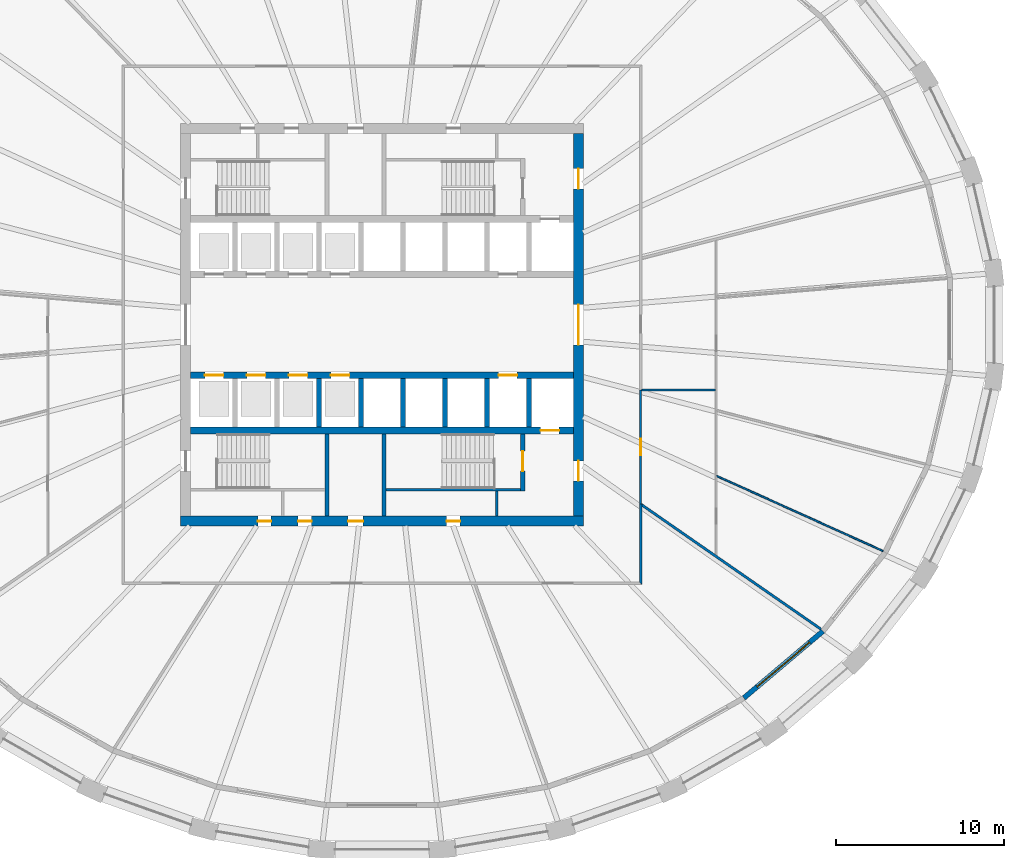
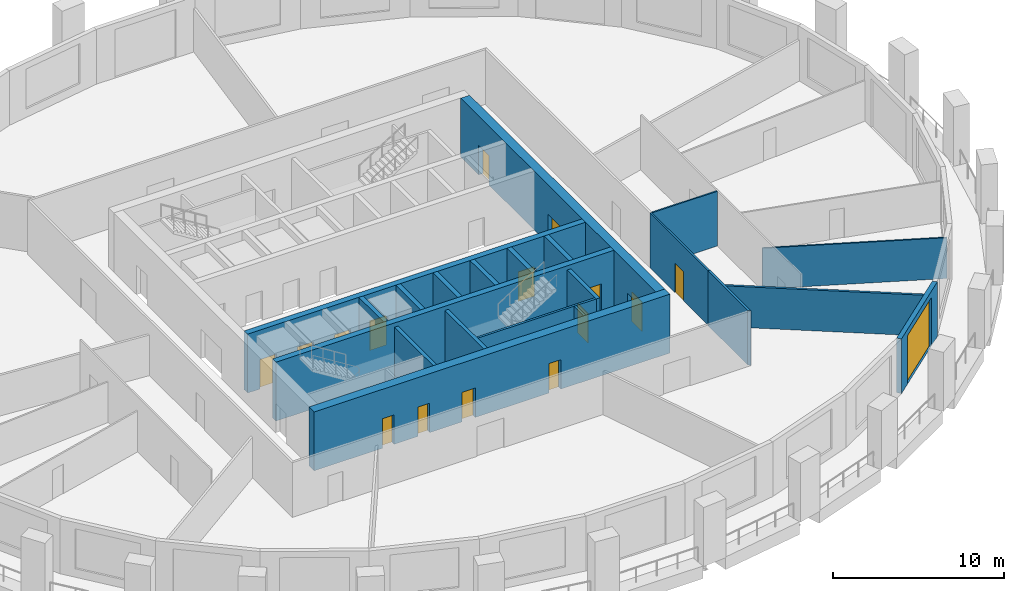
# One storey, part 4 of 11: 21 walls, 16 doors, 16 openings.
"""IFC4 building model written with IfcOpenShell, lengths in metres."""

from ifc_helpers import new_model, si_unit, direction, frame, frame_2d, origin, place, context, subcontext, project, spatial, polyline, rectangle, outline, extrude, material, layer, layer_set, type_object, element, fill, save


model = new_model("IFC4")

# Units and contexts
model_context = context("Model", 3, precision=1e-05, world=origin(), true_north=direction((0.0, 1.0)))
body_context = subcontext(model_context, "Body", "Model", "MODEL_VIEW")
ifc_project = project(units=[si_unit("LENGTHUNIT", "METRE"), si_unit("AREAUNIT", "SQUARE_METRE"), si_unit("VOLUMEUNIT", "CUBIC_METRE"), si_unit("PLANEANGLEUNIT", "RADIAN"), si_unit("MASSUNIT", "GRAM", prefix="KILO")], contexts=[model_context])

# Site, building, storey
site_placement = place(None, origin())
site = spatial("IfcSite", under=ifc_project, at=site_placement, CompositionType="ELEMENT")
building_placement = place(site_placement, origin())
building = spatial("IfcBuilding", under=site, at=building_placement, Name="Halqa Exchange Tower", CompositionType="ELEMENT")
storey_placement = place(building_placement, frame((0.0, 0.0, 78.10009765625)))
storey = spatial("IfcBuildingStorey", under=building, at=storey_placement, Name="L17", CompositionType="ELEMENT", Elevation=78.10009765625)

# Walls
ifc_material_1 = material(Name="Fire-rated gypsum board")
ifc_layer_1 = layer(ifc_material_1, 0.14990234375)
ifc_layer_set_1 = layer_set([ifc_layer_1], Name="Fire-rated gypsum board")
wall_type_1 = type_object("IfcWallType", Name="Fire partition EI 60 150", PredefinedType="PARTITIONING", material=ifc_layer_set_1)
wall_1_placement = place(storey_placement, frame((15.39990234375, -10.679931640625, 0.0), z_axis=(0.0, 0.0, 1.0), x_axis=(0.0, -1.0, 0.0)))
element("IfcWall", 1, at=wall_1_placement, inside=storey, type_object=wall_type_1, Name="L17-PWL-013", PredefinedType="PARTITIONING", context=body_context, shape_type="SweptSolid", body=[
    extrude(outline(polyline([(0.0, -0.074951171875), (1.54833984375, -0.074951171875), (3.0966796875, -0.074951171875), (4.64501953125, -0.074951171875), (4.794921875, 0.074951171875), (3.196533203125, 0.074951171875), (1.598388671875, 0.074951171875), (0.0, 0.074951171875), (0.0, -0.074951171875)])), origin(), (0.0, 0.0, 1.0), 3.89990234375),
])
wall_2_placement = place(storey_placement, frame((15.417724609375, -10.6923828125, 0.0), z_axis=(0.0, 0.0, 1.0), x_axis=(0.821683258501, -0.569944403166, 0.0)))
element("IfcWall", 2, at=wall_2_placement, inside=storey, type_object=wall_type_1, Name="L17-PWL-014", PredefinedType="PARTITIONING", context=body_context, shape_type="SweptSolid", body=[
    extrude(outline(polyline([(13.046875, 0.074951171875), (11.12158203125, 0.074951171875), (9.1962890625, 0.074951171875), (7.27099609375, 0.074951171875), (5.345703125, 0.074951171875), (5.34326171875, 0.0732421875), (5.342041015625, 0.074951171875), (3.5615234375, 0.074951171875), (1.78076171875, 0.074951171875), (0.0, 0.074951171875), (0.0, 0.07421875), (0.027587890625, 0.0341796875), (0.0400390625, 0.042724609375), (0.12158203125, -0.074951171875), (1.96826171875, -0.074951171875), (3.814697265625, -0.074951171875), (5.6611328125, -0.074951171875), (7.507568359375, -0.074951171875), (9.35400390625, -0.074951171875), (11.200439453125, -0.074951171875), (13.046875, -0.074951171875), (13.046875, 0.074951171875)])), origin(), (0.0, 0.0, 1.0), 2.909912109375),
])

# Wall, opening, door
ifc_material_2 = material(Name="Fire-rated glazing", Category="glass")
ifc_layer_2 = layer(ifc_material_2, 0.1201171875)
ifc_layer_set_2 = layer_set([ifc_layer_2], Name="Fire-rated glazing")
wall_type_2 = type_object("IfcWallType", Name="Glazed fire partition EI 60 120", PredefinedType="PARTITIONING", material=ifc_layer_set_2)
wall_3_placement = place(storey_placement, frame((15.39990234375, -3.889892578125, 0.0), z_axis=(0.0, 0.0, 1.0), x_axis=(0.0, -1.0, 0.0)))
wall_3 = element("IfcWall", 3, at=wall_3_placement, inside=storey, type_object=wall_type_2, Name="L17-PWL-015", PredefinedType="PARTITIONING", context=body_context, shape_type="SweptSolid", body=[
    extrude(rectangle(XDim=6.7900390625, YDim=0.1201171875, at=frame_2d((3.39501953125, 0.0))), origin(), (0.0, 0.0, 1.0), 3.89990234375),
])
opening_1_placement = place(wall_3_placement, frame((2.89501953125, 0.0, 0.0)))
opening_1 = element("IfcOpeningElement", 4, at=opening_1_placement, cuts=wall_3, Name="Opening 05-05", PredefinedType="OPENING", context=body_context, shape_type="SweptSolid", body=[
    extrude(rectangle(XDim=1.0, YDim=2.10009765625, at=frame_2d((0.5, 1.050048828125))), frame((0.0, 0.072021484375, 0.0), z_axis=(0.0, -1.0, 0.0), x_axis=(1.0, 0.0, 0.0)), (0.0, 0.0, 1.0), 0.14404296875),
])
ifc_material_3 = material(Name="Steel fire door leaf", Category="steel")
door_type_1 = type_object("IfcDoorType", Name="Fire door FD30S 1000 x 2100", OperationType="SINGLE_SWING_LEFT", PredefinedType="DOOR", material=ifc_material_3)
door_1_placement = place(opening_1_placement, origin())
door_1 = element("IfcDoor", 5, at=door_1_placement, inside=storey, type_object=door_type_1, Name="L17-IDR-005", OperationType="SINGLE_SWING_LEFT", OverallHeight=2.10009765625, OverallWidth=1.0, PredefinedType="DOOR", context=body_context, shape_type="SweptSolid", body=[
    extrude(rectangle(XDim=1.0, YDim=2.10009765625, at=frame_2d((0.5, 1.050048828125))), frame((0.0, 0.02490234375, 0.0), z_axis=(0.0, -1.0, 0.0), x_axis=(1.0, 0.0, 0.0)), (0.0, 0.0, 1.0), 0.050048828125),
])
fill(opening_1, door_1)

# Walls
ifc_material_4 = material(Name="Gypsum board")
ifc_layer_3 = layer(ifc_material_4, 0.10009765625)
ifc_layer_set_3 = layer_set([ifc_layer_3], Name="Gypsum board")
wall_type_3 = type_object("IfcWallType", Name="Partition 100 gypsum", PredefinedType="PARTITIONING", material=ifc_layer_set_3)
wall_4_placement = place(storey_placement, frame((15.46044921875, -3.889892578125, 0.0), z_axis=(0.0, 0.0, 1.0), x_axis=(1.0, 0.0, 0.0)))
element("IfcWall", 6, at=wall_4_placement, inside=storey, type_object=wall_type_3, Name="L17-PWL-017", PredefinedType="PARTITIONING", context=body_context, shape_type="SweptSolid", body=[
    extrude(outline(polyline([(0.0, -0.050048828125), (1.463134765625, -0.050048828125), (2.92626953125, -0.050048828125), (4.3896484375, -0.050048828125), (4.3896484375, 0.050048828125), (2.93115234375, 0.050048828125), (1.472900390625, 0.050048828125), (0.0146484375, 0.050048828125), (0.0146484375, 0.0), (0.0, 0.0), (0.0, -0.050048828125)])), origin(), (0.0, 0.0, 1.0), 3.89990234375),
])
wall_5_placement = place(storey_placement, frame((19.9296875, -9.00341796875, 0.0), z_axis=(0.0, 0.0, 1.0), x_axis=(0.911407001064, -0.41150610981, 0.0)))
element("IfcWall", 7, at=wall_5_placement, inside=storey, type_object=wall_type_3, Name="L17-PWL-020", PredefinedType="PARTITIONING", context=body_context, shape_type="SweptSolid", body=[
    extrude(outline(polyline([(0.044921875, -0.050048828125), (1.847412109375, -0.050048828125), (3.650146484375, -0.050048828125), (5.45263671875, -0.050048828125), (7.25537109375, -0.050048828125), (9.057861328125, -0.050048828125), (10.860595703125, -0.050048828125), (10.8720703125, -0.004150390625), (10.873779296875, 0.050048828125), (9.0615234375, 0.050048828125), (7.249267578125, 0.050048828125), (5.436767578125, 0.050048828125), (3.62451171875, 0.050048828125), (1.812255859375, 0.050048828125), (0.0, 0.050048828125), (0.0, 0.04931640625), (0.044921875, -0.050048828125)])), origin(), (0.0, 0.0, 1.0), 2.909912109375),
])
ifc_layer_4 = layer(ifc_material_4, 0.14990234375)
ifc_layer_set_4 = layer_set([ifc_layer_4], Name="Gypsum board")
wall_type_4 = type_object("IfcWallType", Name="Penthouse riser wall 150 gypsum", PredefinedType="PARTITIONING", material=ifc_layer_set_4)
wall_6_placement = place(storey_placement, frame((6.824951171875, -11.39990234375, 0.0), z_axis=(0.0, 0.0, 1.0), x_axis=(0.0, 1.0, 0.0)))
element("IfcWall", 8, at=wall_6_placement, inside=storey, type_object=wall_type_4, Name="Firefighting lobby west wall S", PredefinedType="PARTITIONING", context=body_context, shape_type="SweptSolid", body=[
    extrude(rectangle(XDim=1.5, YDim=0.14990234375, at=frame_2d((0.75, 0.0))), origin(), (0.0, 0.0, 1.0), 3.89990234375),
])
ifc_material_5 = material(Name="Concrete C60/75", Category="concrete")
ifc_layer_5 = layer(ifc_material_5, 0.300048828125)
ifc_layer_set_5 = layer_set([ifc_layer_5], Name="Concrete C60/75")
wall_type_5 = type_object("IfcWallType", Name="RC core wall 300", PredefinedType="SHEAR", material=ifc_layer_set_5)
for number, where, z_axis, x_axis, name in (
    (9, (-3.75, -6.10009765625, 0.0), (0.0, 0.0, 1.0), (0.0, 1.0, 0.0), "Shaft divider S3"),
    (10, (-1.25, -6.10009765625, 0.0), (0.0, 0.0, 1.0), (0.0, 1.0, 0.0), "Shaft divider S4"),
    (11, (1.25, -6.10009765625, 0.0), (0.0, 0.0, 1.0), (0.0, 1.0, 0.0), "Shaft divider S5"),
    (12, (3.75, -6.10009765625, 0.0), (0.0, 0.0, 1.0), (0.0, 1.0, 0.0), "Shaft divider S6"),
    (13, (6.25, -6.10009765625, 0.0), (0.0, 0.0, 1.0), (0.0, 1.0, 0.0), "Shaft divider S7"),
    (14, (8.75, -6.10009765625, 0.0), (0.0, 0.0, 1.0), (0.0, 1.0, 0.0), "Shaft divider S8"),
):
    element("IfcWall", number, at=place(storey_placement, frame(where, z_axis=z_axis, x_axis=x_axis)), inside=storey, type_object=wall_type_5, Name=name, PredefinedType="SHEAR", context=body_context, shape_type="SweptSolid", body=[
        extrude(rectangle(XDim=2.900146484375, YDim=0.300048828125, at=frame_2d((1.4501953125, 0.0))), origin(), (0.0, 0.0, 1.0), 4.199951171875),
    ])

# Wall, openings, doors
ifc_material_6 = material(Name="Concrete C80/95", Category="concrete")
ifc_layer_6 = layer(ifc_material_6, 0.39990234375)
ifc_layer_set_6 = layer_set([ifc_layer_6], Name="Concrete C80/95")
wall_type_6 = type_object("IfcWallType", Name="RC core wall 400 C80/95", PredefinedType="SHEAR", material=ifc_layer_set_6)
wall_7_placement = place(storey_placement, frame((-11.39990234375, -3.0, 0.0), z_axis=(0.0, 0.0, 1.0), x_axis=(1.0, 0.0, 0.0)))
wall_7 = element("IfcWall", 15, at=wall_7_placement, inside=storey, type_object=wall_type_6, Name="Lift row front wall S", PredefinedType="SHEAR", context=body_context, shape_type="SweptSolid", body=[
    extrude(rectangle(XDim=22.7998046875, YDim=0.39990234375, at=frame_2d((11.39990234375, 0.0))), origin(), (0.0, 0.0, 1.0), 4.199951171875),
])
opening_2_placement = place(wall_7_placement, frame((0.85009765625, 0.0, 0.0)))
opening_2 = element("IfcOpeningElement", 16, at=opening_2_placement, cuts=wall_7, Name="Opening LD-LR5-T05", PredefinedType="OPENING", context=body_context, shape_type="SweptSolid", body=[
    extrude(rectangle(XDim=1.10009765625, YDim=2.10009765625, at=frame_2d((0.550048828125, 1.050048828125))), frame((0.0, 0.2119140625, 0.0), z_axis=(0.0, -1.0, 0.0), x_axis=(1.0, 0.0, 0.0)), (0.0, 0.0, 1.0), 0.423828125),
])
opening_3_placement = place(wall_7_placement, frame((3.35009765625, 0.0, 0.0)))
opening_3 = element("IfcOpeningElement", 17, at=opening_3_placement, cuts=wall_7, Name="Opening LD-LR6-T05", PredefinedType="OPENING", context=body_context, shape_type="SweptSolid", body=[
    extrude(rectangle(XDim=1.10009765625, YDim=2.10009765625, at=frame_2d((0.550048828125, 1.050048828125))), frame((0.0, 0.2119140625, 0.0), z_axis=(0.0, -1.0, 0.0), x_axis=(1.0, 0.0, 0.0)), (0.0, 0.0, 1.0), 0.423828125),
])
opening_4_placement = place(wall_7_placement, frame((5.85009765625, 0.0, 0.0)))
opening_4 = element("IfcOpeningElement", 18, at=opening_4_placement, cuts=wall_7, Name="Opening LD-LR7-T05", PredefinedType="OPENING", context=body_context, shape_type="SweptSolid", body=[
    extrude(rectangle(XDim=1.10009765625, YDim=2.10009765625, at=frame_2d((0.550048828125, 1.050048828125))), frame((0.0, 0.2119140625, 0.0), z_axis=(0.0, -1.0, 0.0), x_axis=(1.0, 0.0, 0.0)), (0.0, 0.0, 1.0), 0.423828125),
])
opening_5_placement = place(wall_7_placement, frame((8.35009765625, 0.0, 0.0)))
opening_5 = element("IfcOpeningElement", 19, at=opening_5_placement, cuts=wall_7, Name="Opening LD-LR8-T05", PredefinedType="OPENING", context=body_context, shape_type="SweptSolid", body=[
    extrude(rectangle(XDim=1.10009765625, YDim=2.10009765625, at=frame_2d((0.550048828125, 1.050048828125))), frame((0.0, 0.2119140625, 0.0), z_axis=(0.0, -1.0, 0.0), x_axis=(1.0, 0.0, 0.0)), (0.0, 0.0, 1.0), 0.423828125),
])
opening_6_placement = place(wall_7_placement, frame((18.35009765625, 0.0, 0.0)))
opening_6 = element("IfcOpeningElement", 20, at=opening_6_placement, cuts=wall_7, Name="Opening LD-SV2-T05", PredefinedType="OPENING", context=body_context, shape_type="SweptSolid", body=[
    extrude(rectangle(XDim=1.10009765625, YDim=2.10009765625, at=frame_2d((0.550048828125, 1.050048828125))), frame((0.0, 0.2119140625, 0.0), z_axis=(0.0, -1.0, 0.0), x_axis=(1.0, 0.0, 0.0)), (0.0, 0.0, 1.0), 0.423828125),
])
ifc_material_7 = material(Name="Stainless steel", Category="steel")
door_type_2 = type_object("IfcDoorType", Name="Lift landing door 1100 x 2100", OperationType="SLIDING_TO_LEFT", PredefinedType="DOOR", material=ifc_material_7)
door_2_placement = place(opening_2_placement, origin())
door_2 = element("IfcDoor", 21, at=door_2_placement, inside=storey, type_object=door_type_2, Name="Lift landing door LR5", OperationType="SLIDING_TO_LEFT", OverallHeight=2.10009765625, OverallWidth=1.10009765625, PredefinedType="DOOR", context=body_context, shape_type="SweptSolid", body=[
    extrude(rectangle(XDim=1.10009765625, YDim=2.10009765625, at=frame_2d((0.550048828125, 1.050048828125))), frame((0.0, 0.02490234375, 0.0), z_axis=(0.0, -1.0, 0.0), x_axis=(1.0, 0.0, 0.0)), (0.0, 0.0, 1.0), 0.050048828125),
])
fill(opening_2, door_2)
door_3_placement = place(opening_3_placement, origin())
door_3 = element("IfcDoor", 22, at=door_3_placement, inside=storey, type_object=door_type_2, Name="Lift landing door LR6", OperationType="SLIDING_TO_LEFT", OverallHeight=2.10009765625, OverallWidth=1.10009765625, PredefinedType="DOOR", context=body_context, shape_type="SweptSolid", body=[
    extrude(rectangle(XDim=1.10009765625, YDim=2.10009765625, at=frame_2d((0.550048828125, 1.050048828125))), frame((0.0, 0.02490234375, 0.0), z_axis=(0.0, -1.0, 0.0), x_axis=(1.0, 0.0, 0.0)), (0.0, 0.0, 1.0), 0.050048828125),
])
fill(opening_3, door_3)
door_4_placement = place(opening_4_placement, origin())
door_4 = element("IfcDoor", 23, at=door_4_placement, inside=storey, type_object=door_type_2, Name="Lift landing door LR7", OperationType="SLIDING_TO_LEFT", OverallHeight=2.10009765625, OverallWidth=1.10009765625, PredefinedType="DOOR", context=body_context, shape_type="SweptSolid", body=[
    extrude(rectangle(XDim=1.10009765625, YDim=2.10009765625, at=frame_2d((0.550048828125, 1.050048828125))), frame((0.0, 0.02490234375, 0.0), z_axis=(0.0, -1.0, 0.0), x_axis=(1.0, 0.0, 0.0)), (0.0, 0.0, 1.0), 0.050048828125),
])
fill(opening_4, door_4)
door_5_placement = place(opening_5_placement, origin())
door_5 = element("IfcDoor", 24, at=door_5_placement, inside=storey, type_object=door_type_2, Name="Lift landing door LR8", OperationType="SLIDING_TO_LEFT", OverallHeight=2.10009765625, OverallWidth=1.10009765625, PredefinedType="DOOR", context=body_context, shape_type="SweptSolid", body=[
    extrude(rectangle(XDim=1.10009765625, YDim=2.10009765625, at=frame_2d((0.550048828125, 1.050048828125))), frame((0.0, 0.02490234375, 0.0), z_axis=(0.0, -1.0, 0.0), x_axis=(1.0, 0.0, 0.0)), (0.0, 0.0, 1.0), 0.050048828125),
])
fill(opening_5, door_5)
door_6_placement = place(opening_6_placement, origin())
door_6 = element("IfcDoor", 25, at=door_6_placement, inside=storey, type_object=door_type_2, Name="Lift landing door SV2", OperationType="SLIDING_TO_LEFT", OverallHeight=2.10009765625, OverallWidth=1.10009765625, PredefinedType="DOOR", context=body_context, shape_type="SweptSolid", body=[
    extrude(rectangle(XDim=1.10009765625, YDim=2.10009765625, at=frame_2d((0.550048828125, 1.050048828125))), frame((0.0, 0.02490234375, 0.0), z_axis=(0.0, -1.0, 0.0), x_axis=(1.0, 0.0, 0.0)), (0.0, 0.0, 1.0), 0.050048828125),
])
fill(opening_6, door_6)

# Wall, opening, door
wall_8_placement = place(storey_placement, frame((-11.39990234375, -6.300048828125, 0.0), z_axis=(0.0, 0.0, 1.0), x_axis=(1.0, 0.0, 0.0)))
wall_8 = element("IfcWall", 26, at=wall_8_placement, inside=storey, type_object=wall_type_6, Name="Lift row back wall S", PredefinedType="SHEAR", context=body_context, shape_type="SweptSolid", body=[
    extrude(rectangle(XDim=22.7998046875, YDim=0.39990234375, at=frame_2d((11.39990234375, 0.0))), origin(), (0.0, 0.0, 1.0), 4.199951171875),
])
opening_7_placement = place(wall_8_placement, frame((20.85009765625, 0.0, 0.0)))
opening_7 = element("IfcOpeningElement", 27, at=opening_7_placement, cuts=wall_8, Name="Opening LD-FF2-T05", PredefinedType="OPENING", context=body_context, shape_type="SweptSolid", body=[
    extrude(rectangle(XDim=1.10009765625, YDim=2.10009765625, at=frame_2d((0.550048828125, 1.050048828125))), frame((0.0, 0.2119140625, 0.0), z_axis=(0.0, -1.0, 0.0), x_axis=(1.0, 0.0, 0.0)), (0.0, 0.0, 1.0), 0.423828125),
])
door_7_placement = place(opening_7_placement, origin())
door_7 = element("IfcDoor", 28, at=door_7_placement, inside=storey, type_object=door_type_2, Name="Lift landing door FF2", OperationType="SLIDING_TO_LEFT", OverallHeight=2.10009765625, OverallWidth=1.10009765625, PredefinedType="DOOR", context=body_context, shape_type="SweptSolid", body=[
    extrude(rectangle(XDim=1.10009765625, YDim=2.10009765625, at=frame_2d((0.550048828125, 1.050048828125))), frame((0.0, 0.02490234375, 0.0), z_axis=(0.0, -1.0, 0.0), x_axis=(1.0, 0.0, 0.0)), (0.0, 0.0, 1.0), 0.050048828125),
])
fill(opening_7, door_7)

# Wall, openings, doors
ifc_layer_7 = layer(ifc_material_6, 0.60009765625)
ifc_layer_set_7 = layer_set([ifc_layer_7], Name="Concrete C80/95")
wall_type_7 = type_object("IfcWallType", Name="RC core wall 600 C80/95", PredefinedType="SHEAR", material=ifc_layer_set_7)
wall_9_placement = place(storey_placement, frame((-12.0, -11.699951171875, 0.0), z_axis=(0.0, 0.0, 1.0), x_axis=(1.0, 0.0, 0.0)))
wall_9 = element("IfcWall", 29, at=wall_9_placement, inside=storey, type_object=wall_type_7, Name="Core wall south", PredefinedType="SHEAR", context=body_context, shape_type="SweptSolid", body=[
    extrude(rectangle(XDim=24.0, YDim=0.60009765625, at=frame_2d((12.0, 0.0))), origin(), (0.0, 0.0, 1.0), 4.199951171875),
])
opening_8_placement = place(wall_9_placement, frame((9.97509765625, 0.0, 0.0)))
opening_8 = element("IfcOpeningElement", 30, at=opening_8_placement, cuts=wall_9, Name="Opening T05-C25", PredefinedType="OPENING", context=body_context, shape_type="SweptSolid", body=[
    extrude(rectangle(XDim=0.89990234375, YDim=2.10009765625, at=frame_2d((0.449951171875, 1.050048828125))), frame((0.0, 0.31201171875, 0.0), z_axis=(0.0, -1.0, 0.0), x_axis=(1.0, 0.0, 0.0)), (0.0, 0.0, 1.0), 0.6240234375),
])
opening_9_placement = place(wall_9_placement, frame((4.60009765625, 0.0, 0.0)))
opening_9 = element("IfcOpeningElement", 31, at=opening_9_placement, cuts=wall_9, Name="Opening T05-C26", PredefinedType="OPENING", context=body_context, shape_type="SweptSolid", body=[
    extrude(rectangle(XDim=0.800048828125, YDim=2.10009765625, at=frame_2d((0.39990234375, 1.050048828125))), frame((0.0, 0.31201171875, 0.0), z_axis=(0.0, -1.0, 0.0), x_axis=(1.0, 0.0, 0.0)), (0.0, 0.0, 1.0), 0.6240234375),
])
opening_10_placement = place(wall_9_placement, frame((7.0, 0.0, 0.0)))
opening_10 = element("IfcOpeningElement", 32, at=opening_10_placement, cuts=wall_9, Name="Opening T05-C27", PredefinedType="OPENING", context=body_context, shape_type="SweptSolid", body=[
    extrude(rectangle(XDim=0.800048828125, YDim=2.10009765625, at=frame_2d((0.39990234375, 1.050048828125))), frame((0.0, 0.31201171875, 0.0), z_axis=(0.0, -1.0, 0.0), x_axis=(1.0, 0.0, 0.0)), (0.0, 0.0, 1.0), 0.6240234375),
])
opening_11_placement = place(wall_9_placement, frame((15.85009765625, 0.0, 0.0)))
opening_11 = element("IfcOpeningElement", 33, at=opening_11_placement, cuts=wall_9, Name="Opening T05-C28", PredefinedType="OPENING", context=body_context, shape_type="SweptSolid", body=[
    extrude(rectangle(XDim=0.800048828125, YDim=2.10009765625, at=frame_2d((0.39990234375, 1.050048828125))), frame((0.0, 0.31201171875, 0.0), z_axis=(0.0, -1.0, 0.0), x_axis=(1.0, 0.0, 0.0)), (0.0, 0.0, 1.0), 0.6240234375),
])
ifc_material_8 = material(Name="Timber fire door leaf", Category="wood")
door_type_3 = type_object("IfcDoorType", Name="Core room door FD30 900 x 2100", OperationType="SINGLE_SWING_LEFT", PredefinedType="DOOR", material=ifc_material_8)
door_8_placement = place(opening_8_placement, origin())
door_8 = element("IfcDoor", 34, at=door_8_placement, inside=storey, type_object=door_type_3, Name="Core room door", OperationType="SINGLE_SWING_LEFT", OverallHeight=2.10009765625, OverallWidth=0.89990234375, PredefinedType="DOOR", context=body_context, shape_type="SweptSolid", body=[
    extrude(rectangle(XDim=0.89990234375, YDim=2.10009765625, at=frame_2d((0.449951171875, 1.050048828125))), frame((0.0, 0.02490234375, 0.0), z_axis=(0.0, -1.0, 0.0), x_axis=(1.0, 0.0, 0.0)), (0.0, 0.0, 1.0), 0.050048828125),
])
fill(opening_8, door_8)
door_type_4 = type_object("IfcDoorType", Name="Riser door FD60 800 x 2100", OperationType="SINGLE_SWING_LEFT", PredefinedType="DOOR", material=ifc_material_3)
door_9_placement = place(opening_9_placement, origin())
door_9 = element("IfcDoor", 35, at=door_9_placement, inside=storey, type_object=door_type_4, Name="Core room door", OperationType="SINGLE_SWING_LEFT", OverallHeight=2.10009765625, OverallWidth=0.800048828125, PredefinedType="DOOR", context=body_context, shape_type="SweptSolid", body=[
    extrude(rectangle(XDim=0.800048828125, YDim=2.10009765625, at=frame_2d((0.39990234375, 1.050048828125))), frame((0.0, 0.02490234375, 0.0), z_axis=(0.0, -1.0, 0.0), x_axis=(1.0, 0.0, 0.0)), (0.0, 0.0, 1.0), 0.050048828125),
])
fill(opening_9, door_9)
door_10_placement = place(opening_10_placement, origin())
door_10 = element("IfcDoor", 36, at=door_10_placement, inside=storey, type_object=door_type_4, Name="Core room door", OperationType="SINGLE_SWING_LEFT", OverallHeight=2.10009765625, OverallWidth=0.800048828125, PredefinedType="DOOR", context=body_context, shape_type="SweptSolid", body=[
    extrude(rectangle(XDim=0.800048828125, YDim=2.10009765625, at=frame_2d((0.39990234375, 1.050048828125))), frame((0.0, 0.02490234375, 0.0), z_axis=(0.0, -1.0, 0.0), x_axis=(1.0, 0.0, 0.0)), (0.0, 0.0, 1.0), 0.050048828125),
])
fill(opening_10, door_10)
door_11_placement = place(opening_11_placement, origin())
door_11 = element("IfcDoor", 37, at=door_11_placement, inside=storey, type_object=door_type_4, Name="Core room door", OperationType="SINGLE_SWING_LEFT", OverallHeight=2.10009765625, OverallWidth=0.800048828125, PredefinedType="DOOR", context=body_context, shape_type="SweptSolid", body=[
    extrude(rectangle(XDim=0.800048828125, YDim=2.10009765625, at=frame_2d((0.39990234375, 1.050048828125))), frame((0.0, 0.02490234375, 0.0), z_axis=(0.0, -1.0, 0.0), x_axis=(1.0, 0.0, 0.0)), (0.0, 0.0, 1.0), 0.050048828125),
])
fill(opening_11, door_11)

wall_10_placement = place(storey_placement, frame((11.699951171875, -11.39990234375, 0.0), z_axis=(0.0, 0.0, 1.0), x_axis=(0.0, 1.0, 0.0)))
wall_10 = element("IfcWall", 38, at=wall_10_placement, inside=storey, type_object=wall_type_7, Name="Core wall east", PredefinedType="SHEAR", context=body_context, shape_type="SweptSolid", body=[
    extrude(rectangle(XDim=22.7998046875, YDim=0.60009765625, at=frame_2d((11.39990234375, 0.0))), origin(), (0.0, 0.0, 1.0), 4.199951171875),
])
opening_12_placement = place(wall_10_placement, frame((10.199951171875, 0.0, 0.0)))
opening_12 = element("IfcOpeningElement", 39, at=opening_12_placement, cuts=wall_10, Name="Opening T05-C14", PredefinedType="OPENING", context=body_context, shape_type="SweptSolid", body=[
    extrude(rectangle(XDim=2.39990234375, YDim=2.10009765625, at=frame_2d((1.199951171875, 1.050048828125))), frame((0.0, 0.31201171875, 0.0), z_axis=(0.0, -1.0, 0.0), x_axis=(1.0, 0.0, 0.0)), (0.0, 0.0, 1.0), 0.6240234375),
])
opening_13_placement = place(wall_10_placement, frame((19.5, 0.0, 0.0)))
opening_13 = element("IfcOpeningElement", 40, at=opening_13_placement, cuts=wall_10, Name="Opening T05-C19", PredefinedType="OPENING", context=body_context, shape_type="SweptSolid", body=[
    extrude(rectangle(XDim=1.199951171875, YDim=2.10009765625, at=frame_2d((0.60009765625, 1.050048828125))), frame((0.0, 0.31201171875, 0.0), z_axis=(0.0, -1.0, 0.0), x_axis=(1.0, 0.0, 0.0)), (0.0, 0.0, 1.0), 0.6240234375),
])
opening_14_placement = place(wall_10_placement, frame((2.10009765625, 0.0, 0.0)))
opening_14 = element("IfcOpeningElement", 41, at=opening_14_placement, cuts=wall_10, Name="Opening T05-C20", PredefinedType="OPENING", context=body_context, shape_type="SweptSolid", body=[
    extrude(rectangle(XDim=1.199951171875, YDim=2.10009765625, at=frame_2d((0.60009765625, 1.050048828125))), frame((0.0, 0.31201171875, 0.0), z_axis=(0.0, -1.0, 0.0), x_axis=(1.0, 0.0, 0.0)), (0.0, 0.0, 1.0), 0.6240234375),
])
door_type_5 = type_object("IfcDoorType", Name="Firefighting lobby door FD90 1200 x 2100", OperationType="SINGLE_SWING_RIGHT", PredefinedType="DOOR", material=ifc_material_3)
door_12_placement = place(opening_13_placement, origin())
door_12 = element("IfcDoor", 42, at=door_12_placement, inside=storey, type_object=door_type_5, Name="Firefighting lobby door", OperationType="SINGLE_SWING_RIGHT", OverallHeight=2.10009765625, OverallWidth=1.199951171875, PredefinedType="DOOR", context=body_context, shape_type="SweptSolid", body=[
    extrude(rectangle(XDim=1.199951171875, YDim=2.10009765625, at=frame_2d((0.60009765625, 1.050048828125))), frame((0.0, 0.02490234375, 0.0), z_axis=(0.0, -1.0, 0.0), x_axis=(1.0, 0.0, 0.0)), (0.0, 0.0, 1.0), 0.050048828125),
])
fill(opening_13, door_12)
door_13_placement = place(opening_14_placement, origin())
door_13 = element("IfcDoor", 43, at=door_13_placement, inside=storey, type_object=door_type_5, Name="Firefighting lobby door", OperationType="SINGLE_SWING_LEFT", OverallHeight=2.10009765625, OverallWidth=1.199951171875, PredefinedType="DOOR", context=body_context, shape_type="SweptSolid", body=[
    extrude(rectangle(XDim=1.199951171875, YDim=2.10009765625, at=frame_2d((0.60009765625, 1.050048828125))), frame((0.0, 0.02490234375, 0.0), z_axis=(0.0, -1.0, 0.0), x_axis=(1.0, 0.0, 0.0)), (0.0, 0.0, 1.0), 0.050048828125),
])
fill(opening_14, door_13)
door_type_6 = type_object("IfcDoorType", Name="Lobby double door FD60 2400 x 2100", OperationType="DOUBLE_DOOR_SINGLE_SWING", PredefinedType="DOOR", material=ifc_material_3)
door_14_placement = place(opening_12_placement, origin())
door_14 = element("IfcDoor", 44, at=door_14_placement, inside=storey, type_object=door_type_6, Name="Lift lobby double door", OperationType="DOUBLE_DOOR_SINGLE_SWING", OverallHeight=2.10009765625, OverallWidth=2.39990234375, PredefinedType="DOOR", context=body_context, shape_type="SweptSolid", body=[
    extrude(rectangle(XDim=2.39990234375, YDim=2.10009765625, at=frame_2d((1.199951171875, 1.050048828125))), frame((0.0, 0.02490234375, 0.0), z_axis=(0.0, -1.0, 0.0), x_axis=(1.0, 0.0, 0.0)), (0.0, 0.0, 1.0), 0.050048828125),
])
fill(opening_12, door_14)

# Walls
ifc_material_9 = material(Name="Concrete C30/37", Category="concrete")
ifc_layer_8 = layer(ifc_material_9, 0.14990234375)
ifc_layer_set_8 = layer_set([ifc_layer_8], Name="Concrete C30/37")
wall_type_8 = type_object("IfcWallType", Name="RC stair wall 150 C30/37", PredefinedType="SHEAR", material=ifc_layer_set_8)
wall_11_placement = place(storey_placement, frame((0.25, -9.824951171875, 0.0), z_axis=(0.0, 0.0, 1.0), x_axis=(1.0, 0.0, 0.0)))
element("IfcWall", 45, at=wall_11_placement, inside=storey, type_object=wall_type_8, Name="Stair ST2 north wall S", PredefinedType="SHEAR", context=body_context, shape_type="SweptSolid", body=[
    extrude(rectangle(XDim=8.0, YDim=0.14990234375, at=frame_2d((4.0, 0.0))), origin(), (0.0, 0.0, 1.0), 3.89990234375),
])
ifc_layer_9 = layer(ifc_material_9, 0.25)
ifc_layer_set_9 = layer_set([ifc_layer_9], Name="Concrete C30/37")
wall_type_9 = type_object("IfcWallType", Name="RC stair wall 250 C30/37", PredefinedType="SHEAR", material=ifc_layer_set_9)
for number, where, z_axis, x_axis, name in (
    (46, (-3.27490234375, -11.39990234375, 0.0), (0.0, 0.0, 1.0), (0.0, 1.0, 0.0), "Stair ST1 east wall S"),
    (47, (0.125, -11.39990234375, 0.0), (0.0, 0.0, 1.0), (0.0, 1.0, 0.0), "Stair ST2 west wall S"),
):
    element("IfcWall", number, at=place(storey_placement, frame(where, z_axis=z_axis, x_axis=x_axis)), inside=storey, type_object=wall_type_9, Name=name, PredefinedType="SHEAR", context=body_context, shape_type="SweptSolid", body=[
        extrude(rectangle(XDim=4.89990234375, YDim=0.25, at=frame_2d((2.449951171875, 0.0))), origin(), (0.0, 0.0, 1.0), 3.89990234375),
    ])

# Wall, opening, door
wall_12_placement = place(storey_placement, frame((8.375, -9.89990234375, 0.0), z_axis=(0.0, 0.0, 1.0), x_axis=(0.0, 1.0, 0.0)))
wall_12 = element("IfcWall", 48, at=wall_12_placement, inside=storey, type_object=wall_type_9, Name="Stair ST2 east wall S", PredefinedType="SHEAR", context=body_context, shape_type="SweptSolid", body=[
    extrude(rectangle(XDim=3.39990234375, YDim=0.25, at=frame_2d((1.699951171875, 0.0))), origin(), (0.0, 0.0, 1.0), 3.89990234375),
])
opening_15_placement = place(wall_12_placement, frame((1.175048828125, 0.0, 0.0)))
opening_15 = element("IfcOpeningElement", 49, at=opening_15_placement, cuts=wall_12, Name="Opening T05-C18", PredefinedType="OPENING", context=body_context, shape_type="SweptSolid", body=[
    extrude(rectangle(XDim=1.199951171875, YDim=2.10009765625, at=frame_2d((0.60009765625, 1.050048828125))), frame((0.0, 0.136962890625, 0.0), z_axis=(0.0, -1.0, 0.0), x_axis=(1.0, 0.0, 0.0)), (0.0, 0.0, 1.0), 0.27392578125),
])
door_type_7 = type_object("IfcDoorType", Name="Stair door FD90 1200 x 2100", OperationType="SINGLE_SWING_LEFT", PredefinedType="DOOR", material=ifc_material_3)
door_15_placement = place(opening_15_placement, origin())
door_15 = element("IfcDoor", 50, at=door_15_placement, inside=storey, type_object=door_type_7, Name="Stair door ST4", OperationType="SINGLE_SWING_LEFT", OverallHeight=2.10009765625, OverallWidth=1.199951171875, PredefinedType="DOOR", context=body_context, shape_type="SweptSolid", body=[
    extrude(rectangle(XDim=1.199951171875, YDim=2.10009765625, at=frame_2d((0.60009765625, 1.050048828125))), frame((0.0, 0.02490234375, 0.0), z_axis=(0.0, -1.0, 0.0), x_axis=(1.0, 0.0, 0.0)), (0.0, 0.0, 1.0), 0.050048828125),
])
fill(opening_15, door_15)

ifc_material_10 = material(Name="Limestone cladding", Category="masonry")
ifc_layer_10 = layer(ifc_material_10, 0.0400390625)
ifc_material_11 = material(Name="Ventilated cavity")
ifc_layer_11 = layer(ifc_material_11, 0.030029296875, ventilated=True)
ifc_material_12 = material(Name="Mineral wool insulation")
ifc_layer_12 = layer(ifc_material_12, 0.10009765625)
ifc_layer_13 = layer(ifc_material_9, 0.10009765625)
ifc_material_13 = material(Name="Internal plaster")
ifc_layer_14 = layer(ifc_material_13, 0.030029296875)
ifc_layer_set_10 = layer_set([ifc_layer_10, ifc_layer_11, ifc_layer_12, ifc_layer_13, ifc_layer_14], Name="Stone-faced insulated wall 300")
wall_type_10 = type_object("IfcWallType", Name="Stone-faced insulated wall 300", PredefinedType="STANDARD", material=ifc_layer_set_10)
wall_13_placement = place(storey_placement, frame((21.548583984375, -22.230712890625, 0.0), z_axis=(0.0, 0.0, 1.0), x_axis=(0.763693886759, 0.645578536916, 0.0)))
wall_13 = element("IfcWall", 51, at=wall_13_placement, inside=storey, type_object=wall_type_10, Name="Glass-line wall 28", PredefinedType="STANDARD", context=body_context, shape_type="SweptSolid", body=[
    extrude(outline(polyline([(-0.01416015625, -0.14990234375), (6.18505859375, -0.14990234375), (6.15478515625, 0.14990234375), (0.01416015625, 0.14990234375), (-0.01416015625, -0.14990234375)])), origin(), (0.0, 0.0, 1.0), 3.89990234375),
])
opening_16_placement = place(wall_13_placement, frame((1.034912109375, 0.0, 0.0)))
opening_16 = element("IfcOpeningElement", 52, at=opening_16_placement, cuts=wall_13, Name="Opening LG-F1-07", PredefinedType="OPENING", context=body_context, shape_type="SweptSolid", body=[
    extrude(rectangle(XDim=4.10009765625, YDim=3.449951171875, at=frame_2d((2.050048828125, 1.72509765625))), frame((0.0, 0.162109375, 0.0), z_axis=(0.0, -1.0, 0.0), x_axis=(1.0, 0.0, 0.0)), (0.0, 0.0, 1.0), 0.323974609375),
])
ifc_material_14 = material(Name="Clear low-emissivity glass in aluminium frame", Category="aluminium")
door_type_8 = type_object("IfcDoorType", Name="Glazed sliding loggia door 4100 x 3450", OperationType="DOUBLE_DOOR_SLIDING", PredefinedType="DOOR", material=ifc_material_14)
door_16_placement = place(opening_16_placement, origin())
door_16 = element("IfcDoor", 53, at=door_16_placement, inside=storey, type_object=door_type_8, Name="Loggia door 7", OperationType="DOUBLE_DOOR_SLIDING", OverallHeight=3.449951171875, OverallWidth=4.10009765625, PredefinedType="DOOR", context=body_context, shape_type="SweptSolid", body=[
    extrude(rectangle(XDim=4.10009765625, YDim=3.449951171875, at=frame_2d((2.050048828125, 1.72509765625))), frame((0.0, 0.02490234375, 0.0), z_axis=(0.0, -1.0, 0.0), x_axis=(1.0, 0.0, 0.0)), (0.0, 0.0, 1.0), 0.050048828125),
])
fill(opening_16, door_16)

save(model, "model.ifc")
